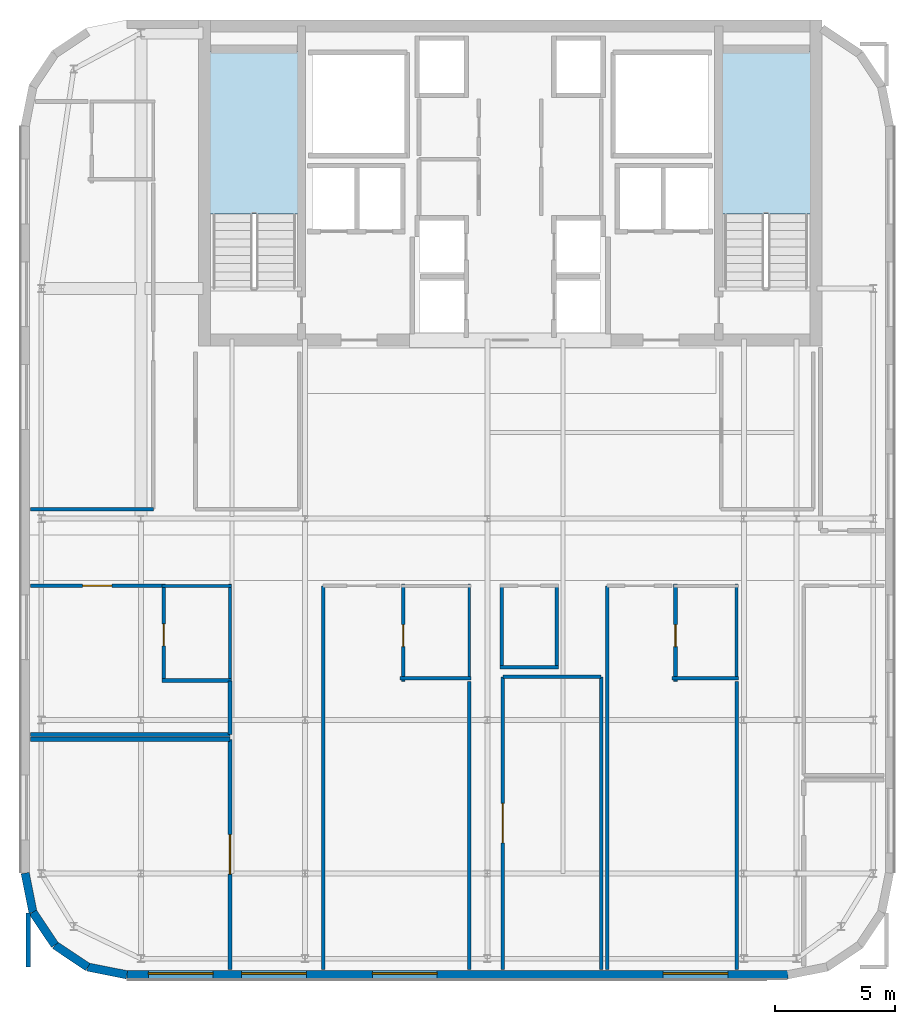
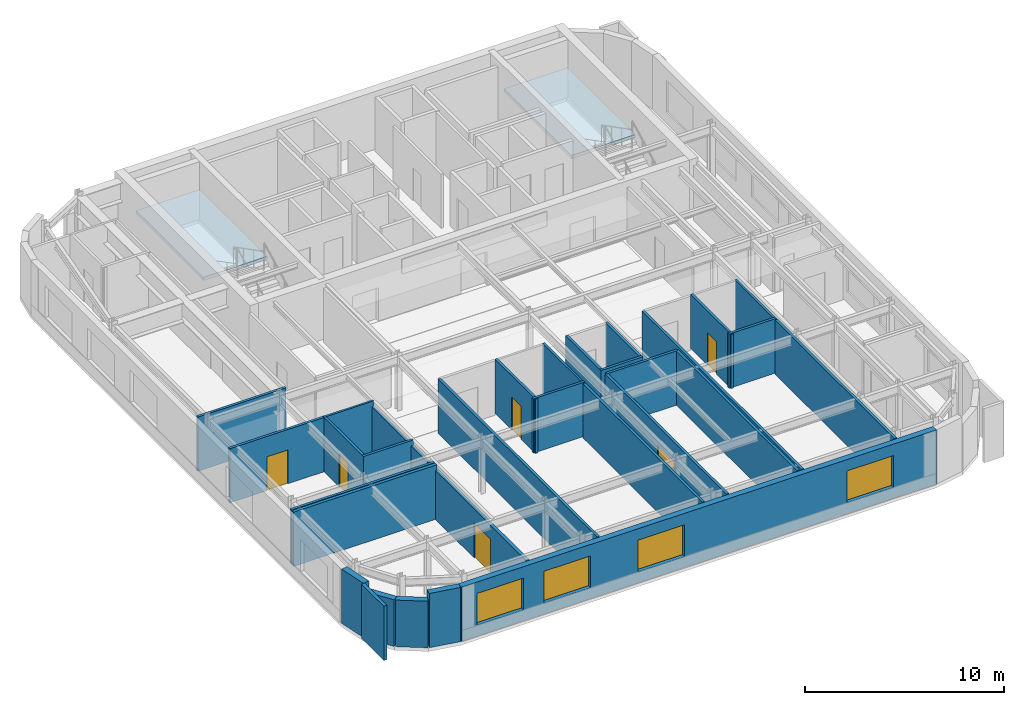
# One storey, part 6 of 15: 32 walls, 6 doors, 4 windows, 2 slabs, 10 openings, 2 elements without a shape of their own.
"""IFC4 building model written with IfcOpenShell, lengths in metres."""

from ifc_helpers import new_model, si_unit, direction, frame, frame_2d, origin, place, context, subcontext, project, spatial, polyline, rectangle, outline, extrude, source, transform, mapped, material, layer, layer_set, type_object, type_shapes, element, fill, aggregate, save


model = new_model("IFC4")

# Units and contexts
model_context = context("Model", 3, precision=1e-05, world=origin(), true_north=direction((0.0, 1.0)))
body_context = subcontext(model_context, "Body", "Model", "MODEL_VIEW")
ifc_project = project(units=[si_unit("LENGTHUNIT", "METRE"), si_unit("AREAUNIT", "SQUARE_METRE"), si_unit("VOLUMEUNIT", "CUBIC_METRE"), si_unit("PLANEANGLEUNIT", "RADIAN"), si_unit("MASSUNIT", "GRAM", prefix="KILO")], contexts=[model_context])

# Site, building, storey
site_placement = place(None, origin())
site = spatial("IfcSite", under=ifc_project, at=site_placement, CompositionType="ELEMENT")
building_placement = place(site_placement, origin())
building = spatial("IfcBuilding", under=site, at=building_placement, Name="Tolvann Quenvar Hotel", CompositionType="ELEMENT")
storey_placement = place(building_placement, frame((0.0, 0.0, 278.60009765625)))
storey = spatial("IfcBuildingStorey", under=building, at=storey_placement, Name="L74", CompositionType="ELEMENT", Elevation=278.60009765625)

# Stair, slab
ifc_material_1 = material(Name="Concrete N40 (40 MPa)", Category="concrete")
stair_type = type_object("IfcStairType", Name="STAIR", PredefinedType="HALF_TURN_STAIR", material=ifc_material_1)
stair_1_placement = place(storey_placement, origin())
stair_1 = element("IfcStair", 1, at=stair_1_placement, inside=storey, type_object=stair_type, Name="L74 ST-C1", PredefinedType="HALF_TURN_STAIR")
ifc_layer_1 = layer(ifc_material_1, 0.199951171875)
ifc_layer_set_1 = layer_set([ifc_layer_1], Name="Concrete N40 (40 MPa)")
slab_type = type_object("IfcSlabType", Name="SLAB_LANDING", PredefinedType="LANDING", material=ifc_layer_set_1)
slab_1_placement = place(storey_placement, frame((0.0, 0.0, 1.574951171875)))
slab_1 = element("IfcSlab", 2, at=slab_1_placement, type_object=slab_type, Name="ST-C1 landing 1", PredefinedType="LANDING", context=body_context, shape_type="SweptSolid", body=[
    extrude(outline(polyline([(14.179931640625, 37.10498046875), (14.179931640625, 43.8798828125), (10.469970703125, 43.8798828125), (10.469970703125, 37.10498046875), (14.179931640625, 37.10498046875)])), origin(), (0.0, 0.0, 1.0), 0.199951171875),
])
aggregate(stair_1, [slab_1])

stair_2_placement = place(storey_placement, origin())
stair_2 = element("IfcStair", 3, at=stair_2_placement, inside=storey, type_object=stair_type, Name="L74 ST-C2", PredefinedType="HALF_TURN_STAIR")
slab_2_placement = place(storey_placement, frame((0.0, 0.0, 1.574951171875)))
slab_2 = element("IfcSlab", 4, at=slab_2_placement, type_object=slab_type, Name="ST-C2 landing 1", PredefinedType="LANDING", context=body_context, shape_type="SweptSolid", body=[
    extrude(outline(polyline([(35.530029296875, 37.10498046875), (35.530029296875, 43.8798828125), (31.820068359375, 43.8798828125), (31.820068359375, 37.10498046875), (35.530029296875, 37.10498046875)])), origin(), (0.0, 0.0, 1.0), 0.199951171875),
])
aggregate(stair_2, [slab_2])

# Walls
ifc_material_2 = material(Name="Kiln-fired red and buff architectural clay brickwork and terracotta masonry", Category="masonry")
ifc_layer_2 = layer(ifc_material_2, 0.35009765625)
ifc_layer_set_2 = layer_set([ifc_layer_2], Name="Kiln-fired red and buff architectural clay brickwork and terracotta masonry")
wall_type_1 = type_object("IfcWallType", Name="WALL_EXT_BRICK_350", PredefinedType="SOLIDWALL", material=ifc_layer_set_2)
for number, where, z_axis, x_axis, name in (
    (5, (3.099609375, 7.984619140625, 0.0), (0.0, 0.0, 1.0), (0.555623290322, -0.831434158098, 0.0), "Exterior Chicago Brick Wall L74-E01"),
    (6, (4.014892578125, 6.614990234375, 0.0), (0.0, 0.0, 1.0), (0.831434158098, -0.555623290322, 0.0), "Exterior Chicago Brick Wall L74-E02"),
):
    element("IfcWall", number, at=place(storey_placement, frame(where, z_axis=z_axis, x_axis=x_axis)), inside=storey, type_object=wall_type_1, Name=name, PredefinedType="SOLIDWALL", context=body_context, shape_type="SweptSolid", body=[
        extrude(rectangle(XDim=1.647216796875, YDim=0.35009765625, at=frame_2d((0.82373046875, 0.0))), origin(), (0.0, 0.0, 1.0), 2.85986328125),
    ])
wall_1_placement = place(storey_placement, frame((5.384521484375, 5.69970703125, 0.0), z_axis=(0.0, 0.0, 1.0), x_axis=(0.980788844421, -0.195072403631, 0.0)))
element("IfcWall", 7, at=wall_1_placement, inside=storey, type_object=wall_type_1, Name="Exterior Chicago Brick Wall L74-E03", PredefinedType="SOLIDWALL", context=body_context, shape_type="SweptSolid", body=[
    extrude(rectangle(XDim=1.66455078125, YDim=0.35009765625, at=frame_2d((0.832275390625, 0.0))), origin(), (0.0, 0.0, 1.0), 3.329833984375),
])

# Wall, openings, windows
wall_2_placement = place(storey_placement, frame((7.01708984375, 5.375, 0.0), z_axis=(0.0, 0.0, 1.0), x_axis=(1.0, 0.0, 0.0)))
wall_2 = element("IfcWall", 8, at=wall_2_placement, inside=storey, type_object=wall_type_1, Name="Exterior Chicago Brick Wall L74-E04", PredefinedType="SOLIDWALL", context=body_context, shape_type="SweptSolid", body=[
    extrude(rectangle(XDim=27.565673828125, YDim=0.35009765625, at=frame_2d((13.78271484375, 0.0))), origin(), (0.0, 0.0, 1.0), 3.329833984375),
])
opening_1_placement = place(wall_2_placement, frame((0.89697265625, 0.0, 0.679931640625)))
opening_1 = element("IfcOpeningElement", 9, at=opening_1_placement, cuts=wall_2, Name="Opening W-04", PredefinedType="OPENING", context=body_context, shape_type="SweptSolid", body=[
    extrude(rectangle(XDim=2.699951171875, YDim=1.949951171875, at=frame_2d((1.35009765625, 0.97509765625))), frame((0.0, 0.18505859375, 0.0), z_axis=(0.0, -1.0, 0.0), x_axis=(1.0, 0.0, 0.0)), (0.0, 0.0, 1.0), 0.3701171875),
])
opening_2_placement = place(wall_2_placement, frame((4.791015625, 0.0, 0.679931640625)))
opening_2 = element("IfcOpeningElement", 10, at=opening_2_placement, cuts=wall_2, Name="Opening W-04", PredefinedType="OPENING", context=body_context, shape_type="SweptSolid", body=[
    extrude(rectangle(XDim=2.699951171875, YDim=1.949951171875, at=frame_2d((1.35009765625, 0.97509765625))), frame((0.0, 0.18505859375, 0.0), z_axis=(0.0, -1.0, 0.0), x_axis=(1.0, 0.0, 0.0)), (0.0, 0.0, 1.0), 0.3701171875),
])
opening_3_placement = place(wall_2_placement, frame((10.236083984375, 0.0, 0.679931640625)))
opening_3 = element("IfcOpeningElement", 11, at=opening_3_placement, cuts=wall_2, Name="Opening W-04", PredefinedType="OPENING", context=body_context, shape_type="SweptSolid", body=[
    extrude(rectangle(XDim=2.699951171875, YDim=1.949951171875, at=frame_2d((1.35009765625, 0.97509765625))), frame((0.0, 0.18505859375, 0.0), z_axis=(0.0, -1.0, 0.0), x_axis=(1.0, 0.0, 0.0)), (0.0, 0.0, 1.0), 0.3701171875),
])
opening_4_placement = place(wall_2_placement, frame((22.367919921875, 0.0, 0.679931640625)))
opening_4 = element("IfcOpeningElement", 12, at=opening_4_placement, cuts=wall_2, Name="Opening W-04", PredefinedType="OPENING", context=body_context, shape_type="SweptSolid", body=[
    extrude(rectangle(XDim=2.699951171875, YDim=1.949951171875, at=frame_2d((1.35009765625, 0.97509765625))), frame((0.0, 0.18505859375, 0.0), z_axis=(0.0, -1.0, 0.0), x_axis=(1.0, 0.0, 0.0)), (0.0, 0.0, 1.0), 0.3701171875),
])
ifc_material_3 = material(Name="Thermally broken bronze-anodised aluminium frame with double low-E glazing", Category="aluminium")
window_type = type_object("IfcWindowType", Name="WIN_STE_2700x2150", PartitioningType="TRIPLE_PANEL_HORIZONTAL", PredefinedType="WINDOW", material=ifc_material_3)
shared_shape_1 = source(origin(), body_context, "Body", "SweptSolid", [
    extrude(rectangle(XDim=2.699951171875, YDim=1.949951171875, at=frame_2d((1.35009765625, 0.97509765625))), frame((0.0, 0.090087890625, 0.0), z_axis=(0.0, -1.0, 0.0), x_axis=(1.0, 0.0, 0.0)), (0.0, 0.0, 1.0), 0.06005859375),
])
type_shapes(window_type, [shared_shape_1])
window_1_placement = place(opening_1_placement, origin())
window_1 = element("IfcWindow", 13, at=window_1_placement, inside=storey, type_object=window_type, Name="Chicago Window W-04 (EW-L74-E04-W01)", OverallHeight=1.949951171875, OverallWidth=2.699951171875, PartitioningType="TRIPLE_PANEL_HORIZONTAL", PredefinedType="WINDOW", context=body_context, shape_type="MappedRepresentation", body=[
    mapped(shared_shape_1, transform((0.0, 0.0, 0.0), x_axis=(1.0, 0.0, 0.0), y_axis=(0.0, 1.0, 0.0), z_axis=(0.0, 0.0, 1.0), scale=1.0)),
])
fill(opening_1, window_1)
window_2_placement = place(opening_2_placement, origin())
window_2 = element("IfcWindow", 14, at=window_2_placement, inside=storey, type_object=window_type, Name="Chicago Window W-04 (EW-L74-E04-W02)", OverallHeight=1.949951171875, OverallWidth=2.699951171875, PartitioningType="TRIPLE_PANEL_HORIZONTAL", PredefinedType="WINDOW", context=body_context, shape_type="MappedRepresentation", body=[
    mapped(shared_shape_1, transform((0.0, 0.0, 0.0), x_axis=(1.0, 0.0, 0.0), y_axis=(0.0, 1.0, 0.0), z_axis=(0.0, 0.0, 1.0), scale=1.0)),
])
fill(opening_2, window_2)
window_3_placement = place(opening_3_placement, origin())
window_3 = element("IfcWindow", 15, at=window_3_placement, inside=storey, type_object=window_type, Name="Chicago Window W-04 (EW-L74-E04-W03)", OverallHeight=1.949951171875, OverallWidth=2.699951171875, PartitioningType="TRIPLE_PANEL_HORIZONTAL", PredefinedType="WINDOW", context=body_context, shape_type="MappedRepresentation", body=[
    mapped(shared_shape_1, transform((0.0, 0.0, 0.0), x_axis=(1.0, 0.0, 0.0), y_axis=(0.0, 1.0, 0.0), z_axis=(0.0, 0.0, 1.0), scale=1.0)),
])
fill(opening_3, window_3)
window_4_placement = place(opening_4_placement, origin())
window_4 = element("IfcWindow", 16, at=window_4_placement, inside=storey, type_object=window_type, Name="Chicago Window W-04 (EW-L74-E04-W04)", OverallHeight=1.949951171875, OverallWidth=2.699951171875, PartitioningType="TRIPLE_PANEL_HORIZONTAL", PredefinedType="WINDOW", context=body_context, shape_type="MappedRepresentation", body=[
    mapped(shared_shape_1, transform((0.0, 0.0, 0.0), x_axis=(1.0, 0.0, 0.0), y_axis=(0.0, 1.0, 0.0), z_axis=(0.0, 0.0, 1.0), scale=1.0)),
])
fill(opening_4, window_4)

# Walls
wall_3_placement = place(storey_placement, frame((2.77490234375, 9.6171875, 0.0), z_axis=(0.0, 0.0, 1.0), x_axis=(0.195072403631, -0.980788844421, 0.0)))
element("IfcWall", 17, at=wall_3_placement, inside=storey, type_object=wall_type_1, Name="Exterior Chicago Brick Wall L74-E20", PredefinedType="SOLIDWALL", context=body_context, shape_type="SweptSolid", body=[
    extrude(rectangle(XDim=1.66455078125, YDim=0.35009765625, at=frame_2d((0.832275390625, 0.0))), origin(), (0.0, 0.0, 1.0), 3.329833984375),
])
ifc_material_4 = material(Name="Acoustic twin-stud fire-rated gypsum plasterboard partition")
ifc_layer_3 = layer(ifc_material_4, 0.179931640625)
ifc_layer_set_3 = layer_set([ifc_layer_3], Name="Acoustic twin-stud fire-rated gypsum plasterboard partition")
wall_type_2 = type_object("IfcWallType", Name="WALL_PART_ACOUSTIC_180", PredefinedType="PARTITIONING", material=ifc_layer_set_3)
wall_4_placement = place(storey_placement, frame((3.0048828125, 15.199951171875, 0.0), z_axis=(0.0, 0.0, 1.0), x_axis=(1.0, 0.0, 0.0)))
element("IfcWall", 18, at=wall_4_placement, inside=storey, type_object=wall_type_2, Name="Interior Partition PT-SPC-L74-PSW-LIV-N", PredefinedType="PARTITIONING", context=body_context, shape_type="SweptSolid", body=[
    extrude(rectangle(XDim=8.315185546875, YDim=0.179931640625, at=frame_2d((4.15771484375, 0.0))), origin(), (0.0, 0.0, 1.0), 3.329833984375),
])
wall_5_placement = place(storey_placement, frame((2.89990234375, 5.699951171875, 0.0), z_axis=(0.0, 0.0, 1.0), x_axis=(0.0, 1.0, 0.0)))
element("IfcWall", 19, at=wall_5_placement, inside=storey, type_object=wall_type_2, Name="Interior Partition PT-SPC-L74-PSW-LIV-W", PredefinedType="PARTITIONING", context=body_context, shape_type="SweptSolid", body=[
    extrude(rectangle(XDim=2.2451171875, YDim=0.179931640625, at=frame_2d((1.12255859375, 0.0))), origin(), (0.0, 0.0, 1.0), 3.329833984375),
])

# Wall, opening, door
wall_6_placement = place(storey_placement, frame((11.320068359375, 5.60498046875, 0.0), z_axis=(0.0, 0.0, 1.0), x_axis=(0.0, 1.0, 0.0)))
wall_6 = element("IfcWall", 20, at=wall_6_placement, inside=storey, type_object=wall_type_2, Name="Interior Partition PT-SPC-L74-PSW-LIV-E", PredefinedType="PARTITIONING", context=body_context, shape_type="SweptSolid", body=[
    extrude(rectangle(XDim=9.594970703125, YDim=0.179931640625, at=frame_2d((4.79736328125, 0.0))), origin(), (0.0, 0.0, 1.0), 3.012939453125),
])
opening_5_placement = place(wall_6_placement, frame((3.972412109375, 0.0, 0.0)))
opening_5 = element("IfcOpeningElement", 21, at=opening_5_placement, cuts=wall_6, Name="Opening AD-01", PredefinedType="OPENING", context=body_context, shape_type="SweptSolid", body=[
    extrude(rectangle(XDim=1.64990234375, YDim=2.14990234375, at=frame_2d((0.824951171875, 1.074951171875))), frame((0.0, 0.10009765625, 0.0), z_axis=(0.0, -1.0, 0.0), x_axis=(1.0, 0.0, 0.0)), (0.0, 0.0, 1.0), 0.199951171875),
])
ifc_material_5 = material(Name="Solid-core American oak acoustic fire door leaf in steel frame", Category="steel")
door_type_1 = type_object("IfcDoorType", Name="DOOR_SALON_1650", OperationType="NOTDEFINED", PredefinedType="DOOR", material=ifc_material_5)
shared_shape_2 = source(origin(), body_context, "Body", "SweptSolid", [
    extrude(rectangle(XDim=1.64990234375, YDim=2.14990234375, at=frame_2d((0.824951171875, 1.074951171875))), frame((0.0, 0.02490234375, 0.0), z_axis=(0.0, -1.0, 0.0), x_axis=(1.0, 0.0, 0.0)), (0.0, 0.0, 1.0), 0.050048828125),
])
type_shapes(door_type_1, [shared_shape_2])
door_1_placement = place(opening_5_placement, origin())
door_1 = element("IfcDoor", 22, at=door_1_placement, inside=storey, type_object=door_type_1, Name="Interior Door DOOR-SPC-L74-PSW-LIV", OperationType="DOUBLE_DOOR_SINGLE_SWING", OverallHeight=2.14990234375, OverallWidth=1.64990234375, PredefinedType="DOOR", context=body_context, shape_type="MappedRepresentation", body=[
    mapped(shared_shape_2, transform((0.0, 0.0, 0.0), x_axis=(1.0, 0.0, 0.0), y_axis=(0.0, 1.0, 0.0), z_axis=(0.0, 0.0, 1.0), scale=1.0)),
])
fill(opening_5, door_1)

# Walls
ifc_material_6 = material(Name="Moisture-resistant acoustic plumbing wall assembly")
ifc_layer_4 = layer(ifc_material_6, 0.1201171875)
ifc_layer_set_4 = layer_set([ifc_layer_4], Name="Moisture-resistant acoustic plumbing wall assembly")
wall_type_3 = type_object("IfcWallType", Name="WALL_PART_BATH_120", PredefinedType="PLUMBINGWALL", material=ifc_layer_set_4)
wall_7_placement = place(storey_placement, frame((8.47998046875, 21.60009765625, 0.0), z_axis=(0.0, 0.0, 1.0), x_axis=(1.0, 0.0, 0.0)))
element("IfcWall", 23, at=wall_7_placement, inside=storey, type_object=wall_type_3, Name="Non-Rated Plumbing Partition PT-SPC-L74-PSW-ENS-N", PredefinedType="PLUMBINGWALL", context=body_context, shape_type="SweptSolid", body=[
    extrude(rectangle(XDim=2.909912109375, YDim=0.1201171875, at=frame_2d((1.455078125, 0.0))), origin(), (0.0, 0.0, 1.0), 3.329833984375),
])
wall_8_placement = place(storey_placement, frame((11.320068359375, 17.580078125, 0.0), z_axis=(0.0, 0.0, 1.0), x_axis=(0.0, 1.0, 0.0)))
element("IfcWall", 24, at=wall_8_placement, inside=storey, type_object=wall_type_3, Name="Non-Rated Plumbing Partition PT-SPC-L74-PSW-ENS-E", PredefinedType="PLUMBINGWALL", context=body_context, shape_type="SweptSolid", body=[
    extrude(rectangle(XDim=4.08984375, YDim=0.1201171875, at=frame_2d((2.044921875, 0.0))), origin(), (0.0, 0.0, 1.0), 3.012939453125),
])
for number, where, z_axis, x_axis, name in (
    (25, (21.300048828125, 17.679931640625, 0.0), (0.0, 0.0, 1.0), (0.0, 1.0, 0.0), "Non-Rated Plumbing Partition PT-SPC-L74-PRC-ENS-E"),
    (26, (32.449951171875, 17.679931640625, 0.0), (0.0, 0.0, 1.0), (0.0, 1.0, 0.0), "Non-Rated Plumbing Partition PT-SPC-L74-PSE-ENS-E"),
):
    element("IfcWall", number, at=place(storey_placement, frame(where, z_axis=z_axis, x_axis=x_axis)), inside=storey, type_object=wall_type_3, Name=name, PredefinedType="PLUMBINGWALL", context=body_context, shape_type="SweptSolid", body=[
        extrude(rectangle(XDim=3.989990234375, YDim=0.1201171875, at=frame_2d((1.9951171875, 0.0))), origin(), (0.0, 0.0, 1.0), 3.329833984375),
    ])

# Wall, opening, door
ifc_layer_5 = layer(ifc_material_4, 0.14990234375)
ifc_layer_set_5 = layer_set([ifc_layer_5], Name="Acoustic twin-stud fire-rated gypsum plasterboard partition")
wall_type_4 = type_object("IfcWallType", Name="WALL_PART_SUITE_150", PredefinedType="PARTITIONING", material=ifc_layer_set_5)
wall_9_placement = place(storey_placement, frame((8.550048828125, 17.580078125, 0.0), z_axis=(0.0, 0.0, 1.0), x_axis=(0.0, 1.0, 0.0)))
wall_9 = element("IfcWall", 27, at=wall_9_placement, inside=storey, type_object=wall_type_4, Name="Interior Partition PT-SPC-L74-PSW-ENS-ENT", PredefinedType="PARTITIONING", context=body_context, shape_type="SweptSolid", body=[
    extrude(rectangle(XDim=4.08984375, YDim=0.14990234375, at=frame_2d((2.044921875, 0.0))), origin(), (0.0, 0.0, 1.0), 3.329833984375),
])
opening_6_placement = place(wall_9_placement, frame((1.514892578125, 0.0, 0.0)))
opening_6 = element("IfcOpeningElement", 28, at=opening_6_placement, cuts=wall_9, Name="Opening WD-01", PredefinedType="OPENING", context=body_context, shape_type="SweptSolid", body=[
    extrude(rectangle(XDim=0.919921875, YDim=2.010009765625, at=frame_2d((0.4599609375, 1.0048828125))), frame((0.0, 0.0849609375, 0.0), z_axis=(0.0, -1.0, 0.0), x_axis=(1.0, 0.0, 0.0)), (0.0, 0.0, 1.0), 0.169921875),
])
door_type_2 = type_object("IfcDoorType", Name="DOOR_WC_920", OperationType="NOTDEFINED", PredefinedType="DOOR", material=ifc_material_5)
shared_shape_3 = source(origin(), body_context, "Body", "SweptSolid", [
    extrude(rectangle(XDim=0.919921875, YDim=2.010009765625, at=frame_2d((0.4599609375, 1.0048828125))), frame((0.0, 0.02490234375, 0.0), z_axis=(0.0, -1.0, 0.0), x_axis=(1.0, 0.0, 0.0)), (0.0, 0.0, 1.0), 0.050048828125),
])
type_shapes(door_type_2, [shared_shape_3])
door_2_placement = place(opening_6_placement, origin())
door_2 = element("IfcDoor", 29, at=door_2_placement, inside=storey, type_object=door_type_2, Name="Interior Door DOOR-SPC-L74-PSW-ENS", OperationType="SINGLE_SWING_LEFT", OverallHeight=2.010009765625, OverallWidth=0.919921875, PredefinedType="DOOR", context=body_context, shape_type="MappedRepresentation", body=[
    mapped(shared_shape_3, transform((0.0, 0.0, 0.0), x_axis=(1.0, 0.0, 0.0), y_axis=(0.0, 1.0, 0.0), z_axis=(0.0, 0.0, 1.0), scale=1.0)),
])
fill(opening_6, door_2)

# Wall
wall_10_placement = place(storey_placement, frame((8.47998046875, 17.64990234375, 0.0), z_axis=(0.0, 0.0, 1.0), x_axis=(1.0, 0.0, 0.0)))
element("IfcWall", 30, at=wall_10_placement, inside=storey, type_object=wall_type_4, Name="Interior Partition PT-SPC-L74-PSW-ENS-S", PredefinedType="PARTITIONING", context=body_context, shape_type="SweptSolid", body=[
    extrude(rectangle(XDim=2.909912109375, YDim=0.14990234375, at=frame_2d((1.455078125, 0.0))), origin(), (0.0, 0.0, 1.0), 3.329833984375),
])

# Wall, opening, door
wall_11_placement = place(storey_placement, frame((18.550048828125, 17.60009765625, 0.0), z_axis=(0.0, 0.0, 1.0), x_axis=(0.0, 1.0, 0.0)))
wall_11 = element("IfcWall", 31, at=wall_11_placement, inside=storey, type_object=wall_type_4, Name="Interior Partition PT-SPC-L74-PRC-ENS-ENT", PredefinedType="PARTITIONING", context=body_context, shape_type="SweptSolid", body=[
    extrude(rectangle(XDim=4.06982421875, YDim=0.14990234375, at=frame_2d((2.034912109375, 0.0))), origin(), (0.0, 0.0, 1.0), 3.329833984375),
])
opening_7_placement = place(wall_11_placement, frame((1.465087890625, 0.0, 0.0)))
opening_7 = element("IfcOpeningElement", 32, at=opening_7_placement, cuts=wall_11, Name="Opening WD-01", PredefinedType="OPENING", context=body_context, shape_type="SweptSolid", body=[
    extrude(rectangle(XDim=0.919921875, YDim=2.010009765625, at=frame_2d((0.4599609375, 1.0048828125))), frame((0.0, 0.0849609375, 0.0), z_axis=(0.0, -1.0, 0.0), x_axis=(1.0, 0.0, 0.0)), (0.0, 0.0, 1.0), 0.169921875),
])
door_3_placement = place(opening_7_placement, origin())
door_3 = element("IfcDoor", 33, at=door_3_placement, inside=storey, type_object=door_type_2, Name="Interior Door DOOR-SPC-L74-PRC-ENS", OperationType="SINGLE_SWING_RIGHT", OverallHeight=2.010009765625, OverallWidth=0.919921875, PredefinedType="DOOR", context=body_context, shape_type="MappedRepresentation", body=[
    mapped(shared_shape_3, transform((0.0, 0.0, 0.0), x_axis=(1.0, 0.0, 0.0), y_axis=(0.0, 1.0, 0.0), z_axis=(0.0, 0.0, 1.0), scale=1.0)),
])
fill(opening_7, door_3)

# Wall
wall_12_placement = place(storey_placement, frame((18.39990234375, 17.75, 0.0), z_axis=(0.0, 0.0, 1.0), x_axis=(1.0, 0.0, 0.0)))
element("IfcWall", 34, at=wall_12_placement, inside=storey, type_object=wall_type_4, Name="Interior Partition PT-SPC-L74-PRC-ENS-S", PredefinedType="PARTITIONING", context=body_context, shape_type="SweptSolid", body=[
    extrude(rectangle(XDim=2.97021484375, YDim=0.14990234375, at=frame_2d((1.485107421875, 0.0))), origin(), (0.0, 0.0, 1.0), 3.329833984375),
])

# Wall, opening, door
wall_13_placement = place(storey_placement, frame((29.89990234375, 17.60009765625, 0.0), z_axis=(0.0, 0.0, 1.0), x_axis=(0.0, 1.0, 0.0)))
wall_13 = element("IfcWall", 35, at=wall_13_placement, inside=storey, type_object=wall_type_4, Name="Interior Partition PT-SPC-L74-PSE-ENS-ENT", PredefinedType="PARTITIONING", context=body_context, shape_type="SweptSolid", body=[
    extrude(rectangle(XDim=4.06982421875, YDim=0.14990234375, at=frame_2d((2.034912109375, 0.0))), origin(), (0.0, 0.0, 1.0), 3.329833984375),
])
opening_8_placement = place(wall_13_placement, frame((1.465087890625, 0.0, 0.0)))
opening_8 = element("IfcOpeningElement", 36, at=opening_8_placement, cuts=wall_13, Name="Opening WD-01", PredefinedType="OPENING", context=body_context, shape_type="SweptSolid", body=[
    extrude(rectangle(XDim=0.919921875, YDim=2.010009765625, at=frame_2d((0.4599609375, 1.0048828125))), frame((0.0, 0.0849609375, 0.0), z_axis=(0.0, -1.0, 0.0), x_axis=(1.0, 0.0, 0.0)), (0.0, 0.0, 1.0), 0.169921875),
])
door_4_placement = place(opening_8_placement, origin())
door_4 = element("IfcDoor", 37, at=door_4_placement, inside=storey, type_object=door_type_2, Name="Interior Door DOOR-SPC-L74-PSE-ENS", OperationType="SINGLE_SWING_LEFT", OverallHeight=2.010009765625, OverallWidth=0.919921875, PredefinedType="DOOR", context=body_context, shape_type="MappedRepresentation", body=[
    mapped(shared_shape_3, transform((0.0, 0.0, 0.0), x_axis=(1.0, 0.0, 0.0), y_axis=(0.0, 1.0, 0.0), z_axis=(0.0, 0.0, 1.0), scale=1.0)),
])
fill(opening_8, door_4)

# Wall
wall_14_placement = place(storey_placement, frame((29.75, 17.75, 0.0), z_axis=(0.0, 0.0, 1.0), x_axis=(1.0, 0.0, 0.0)))
element("IfcWall", 38, at=wall_14_placement, inside=storey, type_object=wall_type_4, Name="Interior Partition PT-SPC-L74-PSE-ENS-S", PredefinedType="PARTITIONING", context=body_context, shape_type="SweptSolid", body=[
    extrude(rectangle(XDim=2.77001953125, YDim=0.14990234375, at=frame_2d((1.385009765625, 0.0))), origin(), (0.0, 0.0, 1.0), 3.329833984375),
])

# Wall, opening, door
wall_15_placement = place(storey_placement, frame((3.0048828125, 21.60009765625, 0.0), z_axis=(0.0, 0.0, 1.0), x_axis=(1.0, 0.0, 0.0)))
wall_15 = element("IfcWall", 39, at=wall_15_placement, inside=storey, type_object=wall_type_4, Name="Interior Partition PT-SPC-L74-PSW-BED-ENT", PredefinedType="PARTITIONING", context=body_context, shape_type="SweptSolid", body=[
    extrude(rectangle(XDim=5.545166015625, YDim=0.14990234375, at=frame_2d((2.7724609375, 0.0))), origin(), (0.0, 0.0, 1.0), 3.329833984375),
])
opening_9_placement = place(wall_15_placement, frame((2.16259765625, 0.0, 0.0)))
opening_9 = element("IfcOpeningElement", 40, at=opening_9_placement, cuts=wall_15, Name="Opening SD-02", PredefinedType="OPENING", context=body_context, shape_type="SweptSolid", body=[
    extrude(rectangle(XDim=1.219970703125, YDim=2.080078125, at=frame_2d((0.60986328125, 1.0400390625))), frame((0.0, 0.0849609375, 0.0), z_axis=(0.0, -1.0, 0.0), x_axis=(1.0, 0.0, 0.0)), (0.0, 0.0, 1.0), 0.169921875),
])
door_type_3 = type_object("IfcDoorType", Name="DOOR_VIP_1220", OperationType="NOTDEFINED", PredefinedType="DOOR", material=ifc_material_5)
shared_shape_4 = source(origin(), body_context, "Body", "SweptSolid", [
    extrude(rectangle(XDim=1.219970703125, YDim=2.080078125, at=frame_2d((0.60986328125, 1.0400390625))), frame((0.0, 0.02490234375, 0.0), z_axis=(0.0, -1.0, 0.0), x_axis=(1.0, 0.0, 0.0)), (0.0, 0.0, 1.0), 0.050048828125),
])
type_shapes(door_type_3, [shared_shape_4])
door_5_placement = place(opening_9_placement, origin())
door_5 = element("IfcDoor", 41, at=door_5_placement, inside=storey, type_object=door_type_3, Name="Interior Door DOOR-SPC-L74-PSW-BED", OperationType="SINGLE_SWING_RIGHT", OverallHeight=2.080078125, OverallWidth=1.219970703125, PredefinedType="DOOR", context=body_context, shape_type="MappedRepresentation", body=[
    mapped(shared_shape_4, transform((0.0, 0.0, 0.0), x_axis=(1.0, 0.0, 0.0), y_axis=(0.0, 1.0, 0.0), z_axis=(0.0, 0.0, 1.0), scale=1.0)),
])
fill(opening_9, door_5)

# Walls
wall_16_placement = place(storey_placement, frame((3.0048828125, 15.39990234375, 0.0), z_axis=(0.0, 0.0, 1.0), x_axis=(1.0, 0.0, 0.0)))
element("IfcWall", 42, at=wall_16_placement, inside=storey, type_object=wall_type_4, Name="Interior Partition PT-SPC-L74-PSW-BED-E1", PredefinedType="PARTITIONING", context=body_context, shape_type="SweptSolid", body=[
    extrude(rectangle(XDim=8.315185546875, YDim=0.14990234375, at=frame_2d((4.15771484375, 0.0))), origin(), (0.0, 0.0, 1.0), 3.329833984375),
])
wall_17_placement = place(storey_placement, frame((11.320068359375, 15.39990234375, 0.0), z_axis=(0.0, 0.0, 1.0), x_axis=(0.0, 1.0, 0.0)))
element("IfcWall", 43, at=wall_17_placement, inside=storey, type_object=wall_type_4, Name="Interior Partition PT-SPC-L74-PSW-BED-E2", PredefinedType="PARTITIONING", context=body_context, shape_type="SweptSolid", body=[
    extrude(rectangle(XDim=2.22998046875, YDim=0.14990234375, at=frame_2d((1.114990234375, 0.0))), origin(), (0.0, 0.0, 1.0), 3.012939453125),
])
wall_18_placement = place(storey_placement, frame((21.300048828125, 5.60498046875, 0.0), z_axis=(0.0, 0.0, 1.0), x_axis=(0.0, 1.0, 0.0)))
element("IfcWall", 44, at=wall_18_placement, inside=storey, type_object=wall_type_4, Name="Interior Partition PT-SPC-L74-PRC-LIV-E2", PredefinedType="PARTITIONING", context=body_context, shape_type="SweptSolid", body=[
    extrude(rectangle(XDim=11.9951171875, YDim=0.14990234375, at=frame_2d((5.99755859375, 0.0))), origin(), (0.0, 0.0, 1.0), 3.329833984375),
])
wall_19_placement = place(storey_placement, frame((15.199951171875, 5.60498046875, 0.0), z_axis=(0.0, 0.0, 1.0), x_axis=(0.0, 1.0, 0.0)))
element("IfcWall", 45, at=wall_19_placement, inside=storey, type_object=wall_type_4, Name="Interior Partition PT-SPC-L74-PRC-LIV-E6", PredefinedType="PARTITIONING", context=body_context, shape_type="SweptSolid", body=[
    extrude(rectangle(XDim=15.9951171875, YDim=0.14990234375, at=frame_2d((7.99755859375, 0.0))), origin(), (0.0, 0.0, 1.0), 3.329833984375),
])
wall_20_placement = place(storey_placement, frame((22.699951171875, 17.800048828125, 0.0), z_axis=(0.0, 0.0, 1.0), x_axis=(1.0, 0.0, 0.0)))
element("IfcWall", 46, at=wall_20_placement, inside=storey, type_object=wall_type_4, Name="Interior Partition PT-SPC-L74-PRC-DIN-N", PredefinedType="PARTITIONING", context=body_context, shape_type="SweptSolid", body=[
    extrude(rectangle(XDim=4.10009765625, YDim=0.14990234375, at=frame_2d((2.050048828125, 0.0))), origin(), (0.0, 0.0, 1.0), 3.329833984375),
])

# Wall, opening, door
wall_21_placement = place(storey_placement, frame((22.699951171875, 5.60498046875, 0.0), z_axis=(0.0, 0.0, 1.0), x_axis=(0.0, 1.0, 0.0)))
wall_21 = element("IfcWall", 47, at=wall_21_placement, inside=storey, type_object=wall_type_4, Name="Interior Partition PT-SPC-L74-PRC-DIN-W", PredefinedType="PARTITIONING", context=body_context, shape_type="SweptSolid", body=[
    extrude(rectangle(XDim=12.195068359375, YDim=0.14990234375, at=frame_2d((6.09765625, 0.0))), origin(), (0.0, 0.0, 1.0), 3.329833984375),
])
opening_10_placement = place(wall_21_placement, frame((5.2724609375, 0.0, 0.0)))
opening_10 = element("IfcOpeningElement", 48, at=opening_10_placement, cuts=wall_21, Name="Opening AD-01", PredefinedType="OPENING", context=body_context, shape_type="SweptSolid", body=[
    extrude(rectangle(XDim=1.64990234375, YDim=2.14990234375, at=frame_2d((0.824951171875, 1.074951171875))), frame((0.0, 0.0849609375, 0.0), z_axis=(0.0, -1.0, 0.0), x_axis=(1.0, 0.0, 0.0)), (0.0, 0.0, 1.0), 0.169921875),
])
door_6_placement = place(opening_10_placement, origin())
door_6 = element("IfcDoor", 49, at=door_6_placement, inside=storey, type_object=door_type_1, Name="Interior Door DOOR-SPC-L74-PRC-DIN", OperationType="DOUBLE_DOOR_SINGLE_SWING", OverallHeight=2.14990234375, OverallWidth=1.64990234375, PredefinedType="DOOR", context=body_context, shape_type="MappedRepresentation", body=[
    mapped(shared_shape_2, transform((0.0, 0.0, 0.0), x_axis=(1.0, 0.0, 0.0), y_axis=(0.0, 1.0, 0.0), z_axis=(0.0, 0.0, 1.0), scale=1.0)),
])
fill(opening_10, door_6)

# Walls
wall_22_placement = place(storey_placement, frame((26.800048828125, 5.60498046875, 0.0), z_axis=(0.0, 0.0, 1.0), x_axis=(0.0, 1.0, 0.0)))
element("IfcWall", 50, at=wall_22_placement, inside=storey, type_object=wall_type_4, Name="Interior Partition PT-SPC-L74-PRC-DIN-E", PredefinedType="PARTITIONING", context=body_context, shape_type="SweptSolid", body=[
    extrude(rectangle(XDim=12.195068359375, YDim=0.14990234375, at=frame_2d((6.09765625, 0.0))), origin(), (0.0, 0.0, 1.0), 3.329833984375),
])
wall_23_placement = place(storey_placement, frame((32.449951171875, 5.60498046875, 0.0), z_axis=(0.0, 0.0, 1.0), x_axis=(0.0, 1.0, 0.0)))
element("IfcWall", 51, at=wall_23_placement, inside=storey, type_object=wall_type_4, Name="Interior Partition PT-SPC-L74-PSE-LIV-E2", PredefinedType="PARTITIONING", context=body_context, shape_type="SweptSolid", body=[
    extrude(rectangle(XDim=11.9951171875, YDim=0.14990234375, at=frame_2d((5.99755859375, 0.0))), origin(), (0.0, 0.0, 1.0), 3.329833984375),
])
wall_24_placement = place(storey_placement, frame((27.050048828125, 5.60498046875, 0.0), z_axis=(0.0, 0.0, 1.0), x_axis=(0.0, 1.0, 0.0)))
element("IfcWall", 52, at=wall_24_placement, inside=storey, type_object=wall_type_4, Name="Interior Partition PT-SPC-L74-PSE-LIV-E6", PredefinedType="PARTITIONING", context=body_context, shape_type="SweptSolid", body=[
    extrude(rectangle(XDim=15.9951171875, YDim=0.14990234375, at=frame_2d((7.99755859375, 0.0))), origin(), (0.0, 0.0, 1.0), 3.329833984375),
])
wall_25_placement = place(storey_placement, frame((3.0048828125, 24.800048828125, 0.0), z_axis=(0.0, 0.0, 1.0), x_axis=(1.0, 0.0, 0.0)))
element("IfcWall", 53, at=wall_25_placement, inside=storey, type_object=wall_type_4, Name="Interior Partition PT-SPC-L74-NW-STE-E1", PredefinedType="PARTITIONING", context=body_context, shape_type="SweptSolid", body=[
    extrude(rectangle(XDim=5.115234375, YDim=0.14990234375, at=frame_2d((2.5576171875, 0.0))), origin(), (0.0, 0.0, 1.0), 3.329833984375),
])
wall_26_placement = place(storey_placement, frame((22.580078125, 18.199951171875, 0.0), z_axis=(0.0, 0.0, 1.0), x_axis=(1.0, 0.0, 0.0)))
element("IfcWall", 54, at=wall_26_placement, inside=storey, type_object=wall_type_4, Name="Interior Partition PT-SPC-L74-WCA-S", PredefinedType="PARTITIONING", context=body_context, shape_type="SweptSolid", body=[
    extrude(rectangle(XDim=2.43994140625, YDim=0.14990234375, at=frame_2d((1.219970703125, 0.0))), origin(), (0.0, 0.0, 1.0), 3.329833984375),
])
for number, where, z_axis, x_axis, name in (
    (55, (22.64990234375, 18.1298828125, 0.0), (0.0, 0.0, 1.0), (0.0, 1.0, 0.0), "Interior Partition PT-SPC-L74-WCA-W"),
    (56, (24.949951171875, 18.1298828125, 0.0), (0.0, 0.0, 1.0), (0.0, 1.0, 0.0), "Interior Partition PT-SPC-L74-WCA-E"),
):
    element("IfcWall", number, at=place(storey_placement, frame(where, z_axis=z_axis, x_axis=x_axis)), inside=storey, type_object=wall_type_4, Name=name, PredefinedType="PARTITIONING", context=body_context, shape_type="SweptSolid", body=[
        extrude(rectangle(XDim=3.5400390625, YDim=0.14990234375, at=frame_2d((1.77001953125, 0.0))), origin(), (0.0, 0.0, 1.0), 3.329833984375),
    ])

save(model, "model.ifc")
